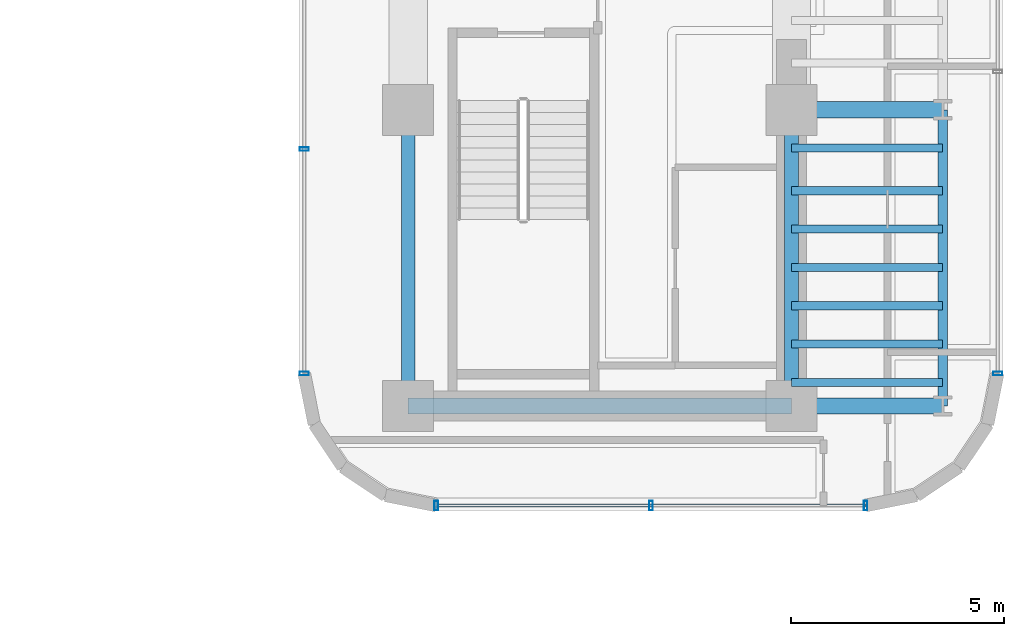
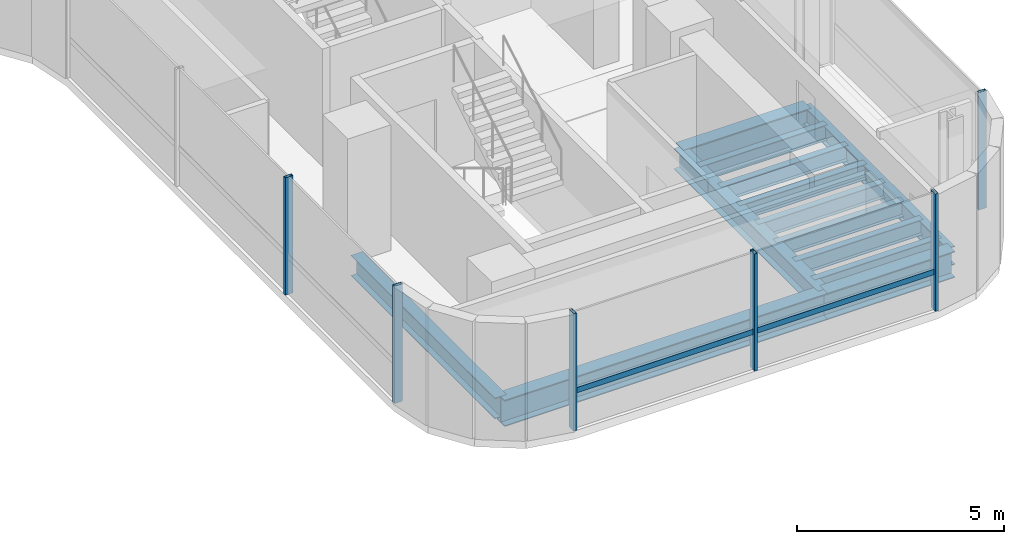
# One storey, part 13 of 37: 13 beams, 7 members, 3 elements without a shape of their own.
"""IFC4 building model written with IfcOpenShell, lengths in metres."""

from ifc_helpers import new_model, si_unit, direction, frame, origin, origin_2d, place, context, subcontext, project, spatial, hollow_rectangle, i_section, extrude, source, transform, mapped, material, material_profile, profile_set, type_object, element, aggregate, save


model = new_model("IFC4")

# Units and contexts
model_context = context("Model", 3, precision=1e-05, world=origin(), true_north=direction((0.0, 1.0)))
body_context = subcontext(model_context, "Body", "Model", "MODEL_VIEW")
ifc_project = project(units=[si_unit("LENGTHUNIT", "METRE"), si_unit("AREAUNIT", "SQUARE_METRE"), si_unit("VOLUMEUNIT", "CUBIC_METRE"), si_unit("PLANEANGLEUNIT", "RADIAN"), si_unit("MASSUNIT", "GRAM", prefix="KILO")], contexts=[model_context])

# Site, building, storey
site_placement = place(None, origin())
site = spatial("IfcSite", under=ifc_project, at=site_placement, CompositionType="ELEMENT")
building_placement = place(site_placement, origin())
building = spatial("IfcBuilding", under=site, at=building_placement, Name="Valdorenza Pilgrim Sanctuary Tower", CompositionType="ELEMENT")
storey_placement = place(building_placement, frame((0.0, 0.0, 135.300048828125)))
storey = spatial("IfcBuildingStorey", under=building, at=storey_placement, Name="L34", CompositionType="ELEMENT", Elevation=135.300048828125)

# Beams
ifc_material_1 = material(Name="Steel ASTM A992 Grade 50", Category="steel")
ifc_material_profile_1 = material_profile(ifc_material_1, i_section(OverallWidth=0.323974609375, OverallDepth=0.611083984375, WebThickness=0.0126953125, FlangeThickness=0.01904296875, at=origin_2d()), Name="W24X104")
ifc_profile_set_1 = profile_set([ifc_material_profile_1], Name="Steel ASTM A992 Grade 50")
beam_type_1 = type_object("IfcBeamType", Name="STR-BM-GRD-W24B", PredefinedType="BEAM", material=ifc_profile_set_1)
shared_shape_1 = source(origin(), body_context, "Body", "SweptSolid", [
    extrude(i_section(OverallWidth=0.323974609375, OverallDepth=0.611083984375, WebThickness=0.0126953125, FlangeThickness=0.01904296875, at=origin_2d()), origin(), (0.0, 0.0, 1.0), 6.949951171875),
])
for number, where, z_axis, x_axis, name in (
    (1, (15.85009765625, -9.550048828125, -0.545654296875), (0.0, 1.0, 0.0), (-1.0, 0.0, 0.0), "L34 Core Tie Girder CB-W-S1M0"),
    (2, (24.85009765625, -9.550048828125, -0.545654296875), (0.0, 1.0, 0.0), (-1.0, 0.0, 0.0), "L34 Core Tie Girder CB-E-S1M0"),
):
    element("IfcBeam", number, at=place(storey_placement, frame(where, z_axis=z_axis, x_axis=x_axis)), inside=storey, type_object=beam_type_1, Name=name, PredefinedType="BEAM", context=body_context, shape_type="MappedRepresentation", body=[
        mapped(shared_shape_1, transform((0.0, 0.0, 0.0), x_axis=(1.0, 0.0, 0.0), y_axis=(0.0, 1.0, 0.0), z_axis=(0.0, 0.0, 1.0), scale=1.0)),
    ])
ifc_material_profile_2 = material_profile(ifc_material_1, i_section(OverallWidth=0.214111328125, OverallDepth=0.549072265625, WebThickness=0.0146484375, FlangeThickness=0.023681640625, at=origin_2d()), Name="W21X93")
ifc_profile_set_2 = profile_set([ifc_material_profile_2], Name="Steel ASTM A992 Grade 50")
beam_type_2 = type_object("IfcBeamType", Name="STR-BM-SPN-W21A", PredefinedType="SPANDREL", material=ifc_profile_set_2)
shared_shape_2 = source(origin(), body_context, "Body", "SweptSolid", [
    extrude(i_section(OverallWidth=0.214111328125, OverallDepth=0.549072265625, WebThickness=0.0146484375, FlangeThickness=0.023681640625, at=origin_2d()), origin(), (0.0, 0.0, 1.0), 6.949951171875),
])
beam_1_placement = place(storey_placement, frame((28.39990234375, -9.550048828125, -0.5146484375), z_axis=(0.0, 1.0, 0.0), x_axis=(-1.0, 0.0, 0.0)))
element("IfcBeam", 3, at=beam_1_placement, inside=storey, type_object=beam_type_2, Name="L34 Spandrel Beam WB-E-S1M0", PredefinedType="SPANDREL", context=body_context, shape_type="MappedRepresentation", body=[
    mapped(shared_shape_2, transform((0.0, 0.0, 0.0), x_axis=(1.0, 0.0, 0.0), y_axis=(0.0, 1.0, 0.0), z_axis=(0.0, 0.0, 1.0), scale=1.0)),
])
ifc_material_profile_3 = material_profile(ifc_material_1, i_section(OverallWidth=0.382080078125, OverallDepth=0.779052734375, WebThickness=0.01806640625, FlangeThickness=0.030029296875, at=origin_2d()), Name="W30X191")
ifc_profile_set_3 = profile_set([ifc_material_profile_3], Name="Steel ASTM A992 Grade 50")
beam_type_3 = type_object("IfcBeamType", Name="STR-BM-GRD-W30", PredefinedType="BEAM", material=ifc_profile_set_3)
shared_shape_3 = source(origin(), body_context, "Body", "SweptSolid", [
    extrude(i_section(OverallWidth=0.382080078125, OverallDepth=0.779052734375, WebThickness=0.01806640625, FlangeThickness=0.030029296875, at=origin_2d()), origin(), (0.0, 0.0, 1.0), 9.0),
])
beam_2_placement = place(storey_placement, frame((15.85009765625, -9.550048828125, -0.629638671875), z_axis=(1.0, 0.0, 0.0), x_axis=(0.0, 1.0, 0.0)))
element("IfcBeam", 4, at=beam_2_placement, inside=storey, type_object=beam_type_3, Name="L34 Floor Girder CB-XC-S1", PredefinedType="BEAM", context=body_context, shape_type="MappedRepresentation", body=[
    mapped(shared_shape_3, transform((0.0, 0.0, 0.0), x_axis=(1.0, 0.0, 0.0), y_axis=(0.0, 1.0, 0.0), z_axis=(0.0, 0.0, 1.0), scale=1.0)),
])
shared_shape_4 = source(origin(), body_context, "Body", "SweptSolid", [
    extrude(i_section(OverallWidth=0.382080078125, OverallDepth=0.779052734375, WebThickness=0.01806640625, FlangeThickness=0.030029296875, at=origin_2d()), origin(), (0.0, 0.0, 1.0), 3.5498046875),
])
for number, where, z_axis, x_axis, name in (
    (5, (24.85009765625, -9.550048828125, -0.629638671875), (1.0, 0.0, 0.0), (0.0, 1.0, 0.0), "L34 Floor Girder WB-XE-S1"),
    (6, (24.85009765625, -2.60009765625, -0.629638671875), (1.0, 0.0, 0.0), (0.0, 1.0, 0.0), "L34 Floor Girder WB-XE-M0"),
):
    element("IfcBeam", number, at=place(storey_placement, frame(where, z_axis=z_axis, x_axis=x_axis)), inside=storey, type_object=beam_type_3, Name=name, PredefinedType="BEAM", context=body_context, shape_type="MappedRepresentation", body=[
        mapped(shared_shape_4, transform((0.0, 0.0, 0.0), x_axis=(1.0, 0.0, 0.0), y_axis=(0.0, 1.0, 0.0), z_axis=(0.0, 0.0, 1.0), scale=1.0)),
    ])
ifc_material_profile_4 = material_profile(ifc_material_1, i_section(OverallWidth=0.19091796875, OverallDepth=0.45703125, WebThickness=0.009033203125, FlangeThickness=0.014404296875, at=origin_2d()), Name="W18X50")
ifc_profile_set_4 = profile_set([ifc_material_profile_4], Name="Steel ASTM A992 Grade 50")
beam_type_4 = type_object("IfcBeamType", Name="STR-BM-JST-W18B", PredefinedType="JOIST", material=ifc_profile_set_4)
shared_shape_5 = source(origin(), body_context, "Body", "SweptSolid", [
    extrude(i_section(OverallWidth=0.19091796875, OverallDepth=0.45703125, WebThickness=0.009033203125, FlangeThickness=0.014404296875, at=origin_2d()), origin(), (0.0, 0.0, 1.0), 3.5498046875),
])
for number, where, z_axis, x_axis, name in (
    (7, (24.85009765625, -9.0, -0.468505859375), (1.0, 0.0, 0.0), (0.0, 1.0, 0.0), "L34 Composite Floor Joist JST-WB-1"),
    (8, (24.85009765625, -8.10009765625, -0.468505859375), (1.0, 0.0, 0.0), (0.0, 1.0, 0.0), "L34 Composite Floor Joist JST-WB-2"),
    (9, (24.85009765625, -7.199951171875, -0.468505859375), (1.0, 0.0, 0.0), (0.0, 1.0, 0.0), "L34 Composite Floor Joist JST-WB-3"),
    (10, (24.85009765625, -6.300048828125, -0.468505859375), (1.0, 0.0, 0.0), (0.0, 1.0, 0.0), "L34 Composite Floor Joist JST-WB-4"),
    (11, (24.85009765625, -5.39990234375, -0.468505859375), (1.0, 0.0, 0.0), (0.0, 1.0, 0.0), "L34 Composite Floor Joist JST-WB-5"),
    (12, (24.85009765625, -4.5, -0.468505859375), (1.0, 0.0, 0.0), (0.0, 1.0, 0.0), "L34 Composite Floor Joist JST-WB-6"),
    (13, (24.85009765625, -3.5, -0.468505859375), (1.0, 0.0, 0.0), (0.0, 1.0, 0.0), "L34 Composite Floor Joist JST-WB-7"),
):
    element("IfcBeam", number, at=place(storey_placement, frame(where, z_axis=z_axis, x_axis=x_axis)), inside=storey, type_object=beam_type_4, Name=name, PredefinedType="JOIST", context=body_context, shape_type="MappedRepresentation", body=[
        mapped(shared_shape_5, transform((0.0, 0.0, 0.0), x_axis=(1.0, 0.0, 0.0), y_axis=(0.0, 1.0, 0.0), z_axis=(0.0, 0.0, 1.0), scale=1.0)),
    ])

# Curtain wall, member
ifc_material_2 = material(Name="Curtain-wall IGU glazing", Category="glass")
curtain_wall_type = type_object("IfcCurtainWallType", Name="CW-SYS-03", PredefinedType="NOTDEFINED", material=ifc_material_2)
curtain_wall_1_placement = place(storey_placement, origin())
curtain_wall_1 = element("IfcCurtainWall", 14, at=curtain_wall_1_placement, inside=storey, type_object=curtain_wall_type, Name="L34 Curtain Wall CW-L34-1-21", PredefinedType="NOTDEFINED")
ifc_material_3 = material(Name="Anodised aluminium AW-6060", Category="aluminium")
ifc_material_profile_5 = material_profile(ifc_material_3, hollow_rectangle(XDim=0.0849609375, YDim=0.219970703125, WallThickness=0.0048828125, at=origin_2d()), Name="ALU-M 220x85x5")
ifc_profile_set_5 = profile_set([ifc_material_profile_5], Name="Anodised aluminium AW-6060")
member_type_1 = type_object("IfcMemberType", Name="CW-MUL-03", PredefinedType="MULLION", material=ifc_profile_set_5)
shared_shape_6 = source(origin(), body_context, "Body", "SweptSolid", [
    extrude(hollow_rectangle(XDim=0.0849609375, YDim=0.219970703125, WallThickness=0.0048828125, at=origin_2d()), origin(), (0.0, 0.0, 1.0), 3.4599609375),
])
member_1_placement = place(storey_placement, frame((29.68994140625, -8.789306640625, 0.0), z_axis=(0.0, 0.0, 1.0), x_axis=(0.0, -1.0, 0.0)))
member_1 = element("IfcMember", 15, at=member_1_placement, type_object=member_type_1, Name="CW-L34-1-21 Mullion 4", PredefinedType="MULLION", context=body_context, shape_type="MappedRepresentation", body=[
    mapped(shared_shape_6, transform((0.0, 0.0, 0.0), x_axis=(1.0, 0.0, 0.0), y_axis=(0.0, 1.0, 0.0), z_axis=(0.0, 0.0, 1.0), scale=1.0)),
])
aggregate(curtain_wall_1, [member_1])

# Curtain wall, members
curtain_wall_2_placement = place(storey_placement, origin())
curtain_wall_2 = element("IfcCurtainWall", 16, at=curtain_wall_2_placement, inside=storey, type_object=curtain_wall_type, Name="L34 Curtain Wall CW-L34-1-26", PredefinedType="NOTDEFINED")
member_2_placement = place(storey_placement, frame((26.589111328125, -11.889892578125, 0.0), z_axis=(0.0, 0.0, 1.0), x_axis=(-1.0, 0.0, 0.0)))
member_2 = element("IfcMember", 17, at=member_2_placement, type_object=member_type_1, Name="CW-L34-1-26 Mullion 1", PredefinedType="MULLION", context=body_context, shape_type="MappedRepresentation", body=[
    mapped(shared_shape_6, transform((0.0, 0.0, 0.0), x_axis=(1.0, 0.0, 0.0), y_axis=(0.0, 1.0, 0.0), z_axis=(0.0, 0.0, 1.0), scale=1.0)),
])
member_3_placement = place(storey_placement, frame((21.550048828125, -11.889892578125, 0.0), z_axis=(0.0, 0.0, 1.0), x_axis=(-1.0, 0.0, 0.0)))
member_3 = element("IfcMember", 18, at=member_3_placement, type_object=member_type_1, Name="CW-L34-1-26 Mullion 2", PredefinedType="MULLION", context=body_context, shape_type="MappedRepresentation", body=[
    mapped(shared_shape_6, transform((0.0, 0.0, 0.0), x_axis=(1.0, 0.0, 0.0), y_axis=(0.0, 1.0, 0.0), z_axis=(0.0, 0.0, 1.0), scale=1.0)),
])
member_4_placement = place(storey_placement, frame((16.5107421875, -11.889892578125, 0.0), z_axis=(0.0, 0.0, 1.0), x_axis=(-1.0, 0.0, 0.0)))
member_4 = element("IfcMember", 19, at=member_4_placement, type_object=member_type_1, Name="CW-L34-1-26 Mullion 3", PredefinedType="MULLION", context=body_context, shape_type="MappedRepresentation", body=[
    mapped(shared_shape_6, transform((0.0, 0.0, 0.0), x_axis=(1.0, 0.0, 0.0), y_axis=(0.0, 1.0, 0.0), z_axis=(0.0, 0.0, 1.0), scale=1.0)),
])

curtain_wall_3_placement = place(storey_placement, origin())
curtain_wall_3 = element("IfcCurtainWall", 20, at=curtain_wall_3_placement, inside=storey, type_object=curtain_wall_type, Name="L34 Curtain Wall CW-L34-1-31", PredefinedType="NOTDEFINED")
member_5_placement = place(storey_placement, frame((13.409912109375, -8.789306640625, 0.0), z_axis=(0.0, 0.0, 1.0), x_axis=(0.0, 1.0, 0.0)))
member_5 = element("IfcMember", 21, at=member_5_placement, type_object=member_type_1, Name="CW-L34-1-31 Mullion 1", PredefinedType="MULLION", context=body_context, shape_type="MappedRepresentation", body=[
    mapped(shared_shape_6, transform((0.0, 0.0, 0.0), x_axis=(1.0, 0.0, 0.0), y_axis=(0.0, 1.0, 0.0), z_axis=(0.0, 0.0, 1.0), scale=1.0)),
])
member_6_placement = place(storey_placement, frame((13.409912109375, -3.5224609375, 0.0), z_axis=(0.0, 0.0, 1.0), x_axis=(0.0, 1.0, 0.0)))
member_6 = element("IfcMember", 22, at=member_6_placement, type_object=member_type_1, Name="CW-L34-1-31 Mullion 2", PredefinedType="MULLION", context=body_context, shape_type="MappedRepresentation", body=[
    mapped(shared_shape_6, transform((0.0, 0.0, 0.0), x_axis=(1.0, 0.0, 0.0), y_axis=(0.0, 1.0, 0.0), z_axis=(0.0, 0.0, 1.0), scale=1.0)),
])
aggregate(curtain_wall_3, [member_5, member_6])

# Member
ifc_material_profile_6 = material_profile(ifc_material_3, hollow_rectangle(XDim=0.074951171875, YDim=0.159912109375, WallThickness=0.00390625, at=origin_2d()), Name="ALU-T 160x75x4")
ifc_profile_set_6 = profile_set([ifc_material_profile_6], Name="Anodised aluminium AW-6060")
member_type_2 = type_object("IfcMemberType", Name="CW-TRN-03", PredefinedType="USERDEFINED", material=ifc_profile_set_6)
shared_shape_7 = source(origin(), body_context, "Body", "SweptSolid", [
    extrude(hollow_rectangle(XDim=0.074951171875, YDim=0.159912109375, WallThickness=0.00390625, at=origin_2d()), origin(), (0.0, 0.0, 1.0), 10.078369140625),
])
member_7_placement = place(storey_placement, frame((26.589111328125, -11.889892578125, 1.119873046875), z_axis=(-1.0, 0.0, 0.0), x_axis=(0.0, -1.0, 0.0)))
member_7 = element("IfcMember", 23, at=member_7_placement, type_object=member_type_2, Name="CW-L34-1-26 Transom 1", ObjectType="TRANSOM", PredefinedType="USERDEFINED", context=body_context, shape_type="MappedRepresentation", body=[
    mapped(shared_shape_7, transform((0.0, 0.0, 0.0), x_axis=(1.0, 0.0, 0.0), y_axis=(0.0, 1.0, 0.0), z_axis=(0.0, 0.0, 1.0), scale=1.0)),
])

aggregate(curtain_wall_2, [member_2, member_3, member_4, member_7])

save(model, "model.ifc")
